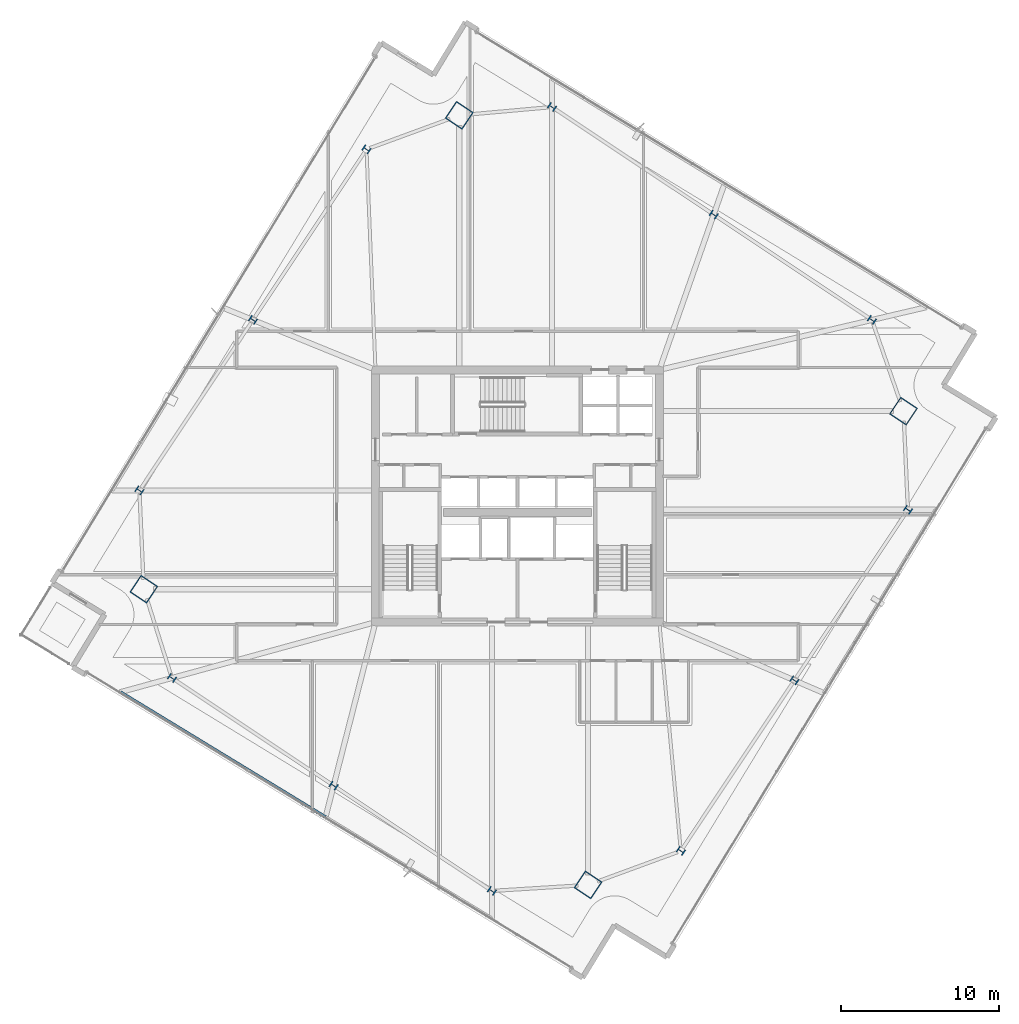
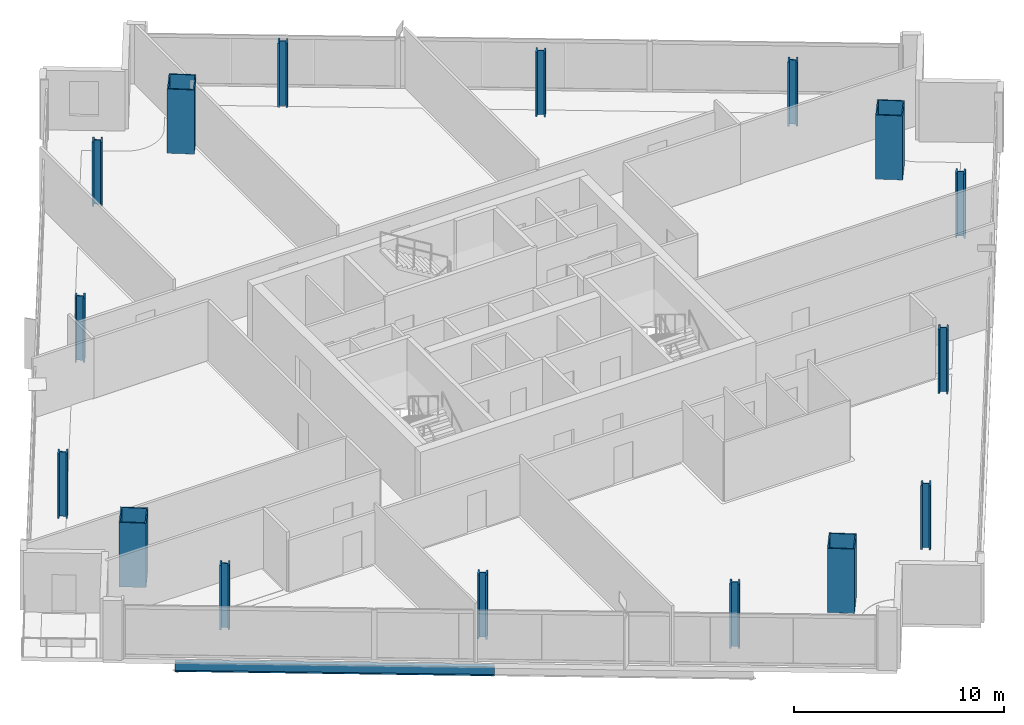
# One storey, part 1 of 28: 16 columns, 1 beam.
"""IFC4 building model written with IfcOpenShell, lengths in metres."""

from ifc_helpers import new_model, si_unit, direction, frame, origin, origin_2d, place, context, subcontext, project, spatial, hollow_rectangle, i_section, extrude, material, material_profile, profile_set, type_object, element, save


model = new_model("IFC4")

# Units and contexts
model_context = context("Model", 3, precision=1e-05, world=origin(), true_north=direction((0.0, 1.0)))
body_context = subcontext(model_context, "Body", "Model", "MODEL_VIEW")
ifc_project = project(units=[si_unit("LENGTHUNIT", "METRE"), si_unit("AREAUNIT", "SQUARE_METRE"), si_unit("VOLUMEUNIT", "CUBIC_METRE"), si_unit("PLANEANGLEUNIT", "RADIAN"), si_unit("MASSUNIT", "GRAM", prefix="KILO")], contexts=[model_context])

# Site, building, storey
site_placement = place(None, origin())
site = spatial("IfcSite", under=ifc_project, at=site_placement, CompositionType="ELEMENT")
building_placement = place(site_placement, origin())
building = spatial("IfcBuilding", under=site, at=building_placement, Name="Haldenkirk Collegiate Tower", CompositionType="ELEMENT")
storey_placement = place(building_placement, frame((0.0, 0.0, 224.699951171875)))
storey = spatial("IfcBuildingStorey", under=building, at=storey_placement, Name="L56", CompositionType="ELEMENT", Elevation=224.699951171875)

# Columns
ifc_material_1 = material(Name="Steel ASTM A913 Grade 65", Category="steel")
ifc_material_profile_1 = material_profile(ifc_material_1, i_section(OverallWidth=0.424072265625, OverallDepth=0.47412109375, WebThickness=0.047607421875, FlangeThickness=0.0771484375, at=origin_2d()), Name="W14X426")
ifc_profile_set_1 = profile_set([ifc_material_profile_1], Name="Steel ASTM A913 Grade 65")
column_type_1 = type_object("IfcColumnType", Name="COL-INT-W14X426", PredefinedType="COLUMN", material=ifc_profile_set_1)
for number, where, z_axis, x_axis, name in (
    (1, (46.363037109375, 3.48974609375, 0.0), (0.0, 0.0, 1.0), (0.554118199338, 0.832437998389, 0.0), "L56 perimeter gravity column PC-S1"),
    (2, (53.564453125, 14.30810546875, 0.0), (0.0, 0.0, 1.0), (0.554118199338, 0.832437998389, 0.0), "L56 perimeter gravity column PC-S2"),
    (3, (60.765869140625, 25.12646484375, 0.0), (0.0, 0.0, 1.0), (0.554118199338, 0.832437998389, 0.0), "L56 perimeter gravity column PC-S3"),
    (4, (58.48095703125, 37.16357421875, 0.0), (0.0, 0.0, 1.0), (0.554118199338, 0.832437998389, 0.0), "L56 perimeter gravity column PC-E1"),
    (5, (48.447509765625, 43.84228515625, 0.0), (0.0, 0.0, 1.0), (0.554118199338, 0.832437998389, 0.0), "L56 perimeter gravity column PC-E2"),
    (6, (38.192626953125, 50.66845703125, 0.0), (0.0, 0.0, 1.0), (0.554118199338, 0.832437998389, 0.0), "L56 perimeter gravity column PC-E3"),
    (7, (26.427734375, 47.98388671875, 0.0), (0.0, 0.0, 1.0), (0.554118199338, 0.832437998389, 0.0), "L56 perimeter gravity column PC-N1"),
    (8, (19.226318359375, 37.16552734375, 0.0), (0.0, 0.0, 1.0), (0.554118199338, 0.832437998389, 0.0), "L56 perimeter gravity column PC-N2"),
    (9, (12.025146484375, 26.34716796875, 0.0), (0.0, 0.0, 1.0), (0.554118199338, 0.832437998389, 0.0), "L56 perimeter gravity column PC-N3"),
    (10, (14.08837890625, 14.45751953125, 0.0), (0.0, 0.0, 1.0), (0.554118199338, 0.832437998389, 0.0), "L56 perimeter gravity column PC-W1"),
    (11, (24.34326171875, 7.63134765625, 0.0), (0.0, 0.0, 1.0), (0.554118199338, 0.832437998389, 0.0), "L56 perimeter gravity column PC-W2"),
    (12, (34.376708984375, 0.952392578125, 0.0), (0.0, 0.0, 1.0), (0.554118199338, 0.832437998389, 0.0), "L56 perimeter gravity column PC-W3"),
):
    element("IfcColumn", number, at=place(storey_placement, frame(where, z_axis=z_axis, x_axis=x_axis)), inside=storey, type_object=column_type_1, Name=name, PredefinedType="COLUMN", context=body_context, shape_type="SweptSolid", body=[
        extrude(i_section(OverallWidth=0.424072265625, OverallDepth=0.47412109375, WebThickness=0.047607421875, FlangeThickness=0.0771484375, at=origin_2d()), origin(), (0.0, 0.0, 1.0), 3.75),
    ])
ifc_material_2 = material(Name="Steel ASTM A572 Grade 50", Category="steel")
ifc_material_profile_2 = material_profile(ifc_material_2, hollow_rectangle(XDim=1.300048828125, YDim=1.300048828125, WallThickness=0.06005859375, at=origin_2d()), Name="BOX1300X1300X60")
ifc_profile_set_2 = profile_set([ifc_material_profile_2], Name="Steel ASTM A572 Grade 50")
column_type_2 = type_object("IfcColumnType", Name="COL-MEGA-BOX1300X1300X60", PredefinedType="COLUMN", material=ifc_profile_set_2)
for number, where, z_axis, x_axis, name in (
    (13, (40.482666015625, 1.332763671875, 0.0), (0.0, 0.0, 1.0), (0.554118199338, 0.832437998389, 0.0), "L56 corner mega-column MC1"),
    (14, (60.486328125, 31.3837890625, 0.0), (0.0, 0.0, 1.0), (0.554118199338, 0.832437998389, 0.0), "L56 corner mega-column MC2"),
    (15, (32.30810546875, 50.140869140625, 0.0), (0.0, 0.0, 1.0), (0.554118199338, 0.832437998389, 0.0), "L56 corner mega-column MC3"),
    (16, (12.3046875, 20.089599609375, 0.0), (0.0, 0.0, 1.0), (0.554118199338, 0.832437998389, 0.0), "L56 corner mega-column MC4"),
):
    element("IfcColumn", number, at=place(storey_placement, frame(where, z_axis=z_axis, x_axis=x_axis)), inside=storey, type_object=column_type_2, Name=name, PredefinedType="COLUMN", context=body_context, shape_type="SweptSolid", body=[
        extrude(hollow_rectangle(XDim=1.300048828125, YDim=1.300048828125, WallThickness=0.06005859375, at=origin_2d()), origin(), (0.0, 0.0, 1.0), 3.75),
    ])

# Beam
ifc_material_3 = material(Name="Steel ASTM A992 Grade 50", Category="steel")
ifc_material_profile_3 = material_profile(ifc_material_3, i_section(OverallWidth=0.2099609375, OverallDepth=0.537109375, WebThickness=0.010986328125, FlangeThickness=0.017333984375, at=origin_2d()), Name="W21X68")
ifc_profile_set_3 = profile_set([ifc_material_profile_3], Name="Steel ASTM A992 Grade 50")
beam_type = type_object("IfcBeamType", Name="BM-SPANDREL-W21X68", PredefinedType="SPANDREL", material=ifc_profile_set_3)
beam_placement = place(storey_placement, frame((10.8115234375, 13.558349609375, -0.54833984375), z_axis=(0.854002728547, -0.520268526468, 0.0), x_axis=(0.520268526468, 0.854002728547, 0.0)))
element("IfcBeam", 17, at=beam_placement, inside=storey, type_object=beam_type, Name="L56 outer facade edge beam 4A", PredefinedType="SPANDREL", context=body_context, shape_type="SweptSolid", body=[
    extrude(i_section(OverallWidth=0.2099609375, OverallDepth=0.537109375, WebThickness=0.010986328125, FlangeThickness=0.017333984375, at=origin_2d()), origin(), (0.0, 0.0, 1.0), 15.243896484375),
])

save(model, "model.ifc")
